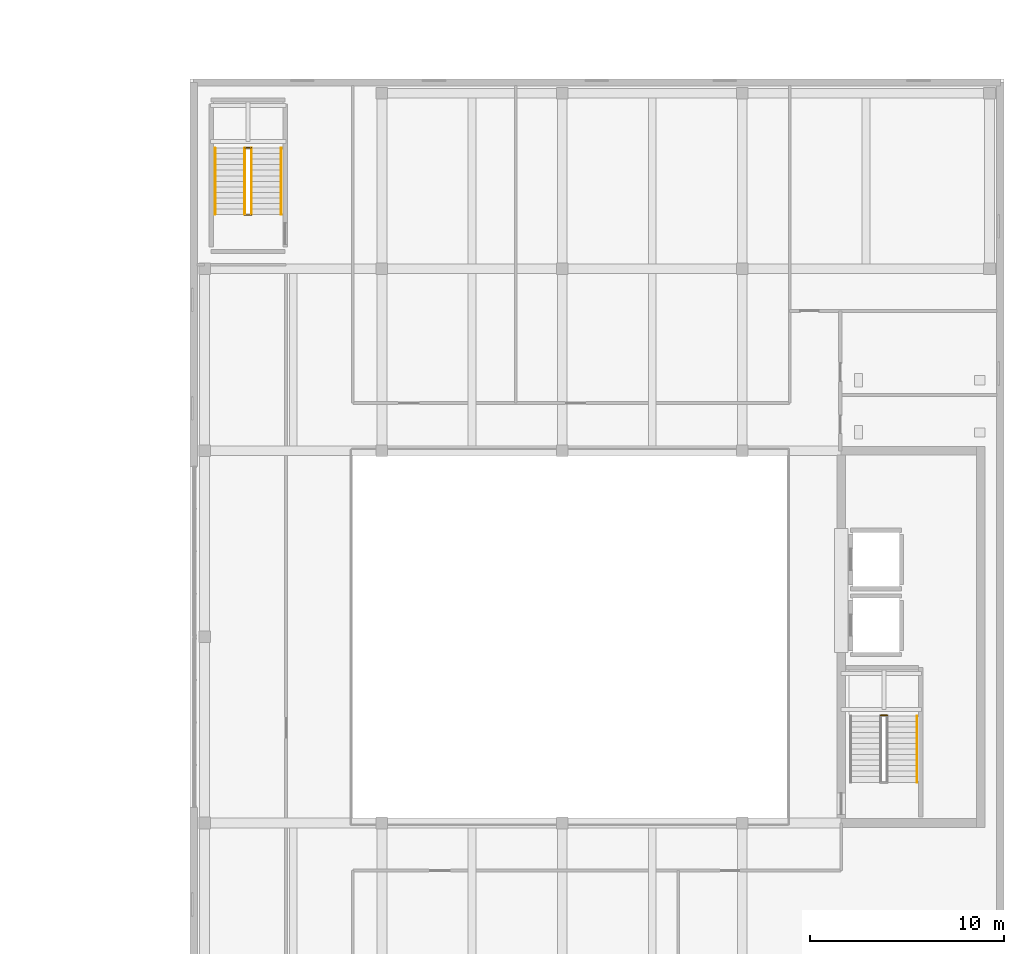
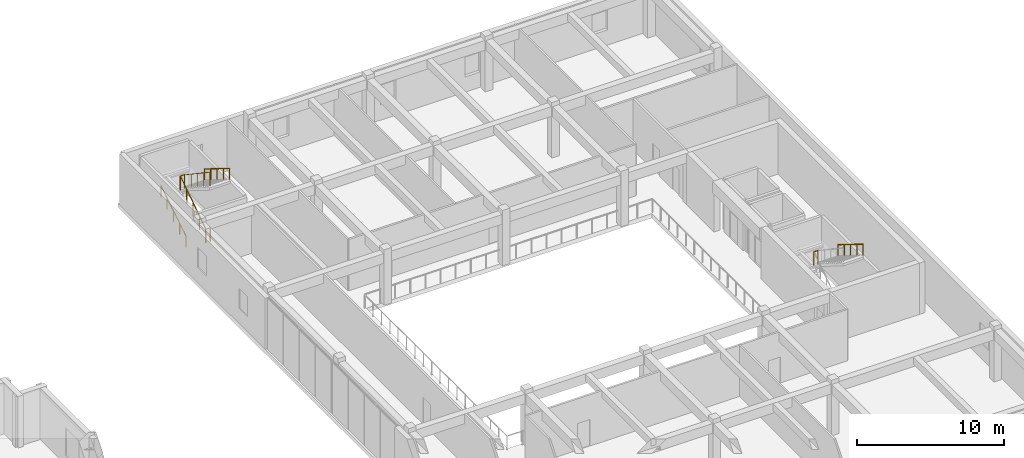
# One storey, part 23 of 24: 8 railings.
"""IFC4 building model written with IfcOpenShell, lengths in metres."""

from ifc_helpers import new_model, si_unit, direction, frame, origin, origin_2d, place, context, subcontext, project, spatial, circle, extrude, material, type_object, element, save


model = new_model("IFC4")

# Units and contexts
model_context = context("Model", 3, precision=1e-05, world=origin(), true_north=direction((0.0, 1.0)))
body_context = subcontext(model_context, "Body", "Model", "MODEL_VIEW")
ifc_project = project(units=[si_unit("LENGTHUNIT", "METRE"), si_unit("AREAUNIT", "SQUARE_METRE"), si_unit("VOLUMEUNIT", "CUBIC_METRE"), si_unit("PLANEANGLEUNIT", "RADIAN"), si_unit("MASSUNIT", "GRAM", prefix="KILO")], contexts=[model_context])

# Site, building, storey
site_placement = place(None, origin())
site = spatial("IfcSite", under=ifc_project, at=site_placement, CompositionType="ELEMENT")
building_placement = place(site_placement, origin())
building = spatial("IfcBuilding", under=site, at=building_placement, Name="Norrvale University Quadrangle", CompositionType="ELEMENT")
storey_placement = place(building_placement, frame((0.0, 0.0, 15.0)))
storey = spatial("IfcBuildingStorey", under=building, at=storey_placement, Name="L03", CompositionType="ELEMENT", Elevation=15.0)

# Railings
ifc_material_1 = material(Name="Steel 350W Painted Balustrade", Category="steel")
railing_type_1 = type_object("IfcRailingType", Name="Railing Stair Guard 1100", PredefinedType="GUARDRAIL", material=ifc_material_1)
railing_1_placement = place(storey_placement, frame((120.830078125, 24.75, 2.300048828125)))
element("IfcRailing", 1, at=railing_1_placement, inside=storey, type_object=railing_type_1, Name="Stair Mid-Landing Slot Guard ST-L1 L03", PredefinedType="GUARDRAIL", context=body_context, shape_type="SweptSolid", body=[
    extrude(circle(Radius=0.02392578125, at=origin_2d()), frame((0.0, 0.0, 1.1259765625), z_axis=(1.0, 0.0, 0.0), x_axis=(0.0, 1.0, 0.0)), (0.0, 0.0, 1.0), 0.33984375),
    extrude(circle(Radius=0.02099609375, at=origin_2d()), origin(), (0.0, 0.0, 1.0), 1.101806640625),
    extrude(circle(Radius=0.02099609375, at=origin_2d()), frame((0.33984375, 0.0, 0.0)), (0.0, 0.0, 1.0), 1.101806640625),
])
for number, where, name in (
    (2, (88.030029296875, 50.570068359375, 0.0), "Stair Floor Well Guard ST-L3 L03"),
    (3, (88.030029296875, 54.050048828125, 2.300048828125), "Stair Mid-Landing Slot Guard ST-L3 L03"),
):
    element("IfcRailing", number, at=place(storey_placement, frame(where)), inside=storey, type_object=railing_type_1, Name=name, PredefinedType="GUARDRAIL", context=body_context, shape_type="SweptSolid", body=[
        extrude(circle(Radius=0.02392578125, at=origin_2d()), frame((0.0, 0.0, 1.1259765625), z_axis=(1.0, 0.0, 0.0), x_axis=(0.0, 1.0, 0.0)), (0.0, 0.0, 1.0), 0.340087890625),
        extrude(circle(Radius=0.02099609375, at=origin_2d()), origin(), (0.0, 0.0, 1.0), 1.101806640625),
        extrude(circle(Radius=0.02099609375, at=origin_2d()), frame((0.340087890625, 0.0, 0.0)), (0.0, 0.0, 1.0), 1.101806640625),
    ])
railing_2_placement = place(storey_placement, frame((88.030029296875, 50.60009765625, 0.0)))
element("IfcRailing", 4, at=railing_2_placement, inside=storey, type_object=railing_type_1, Name="Stair Lower Flight Inner Guard ST-L3 L03", PredefinedType="GUARDRAIL", context=body_context, shape_type="SweptSolid", body=[
    extrude(circle(Radius=0.02392578125, at=origin_2d()), frame((0.0, 0.0, 1.1259765625), z_axis=(0.0, 0.8297924358, 0.55807214004), x_axis=(-1.0, 0.0, 0.0)), (0.0, 0.0, 1.0), 4.121337890625),
    extrude(circle(Radius=0.02099609375, at=origin_2d()), origin(), (0.0, 0.0, 1.0), 1.101806640625),
    extrude(circle(Radius=0.02099609375, at=origin_2d()), frame((0.0, 0.85498046875, 0.574951171875)), (0.0, 0.0, 1.0), 1.101806640625),
    extrude(circle(Radius=0.02099609375, at=origin_2d()), frame((0.0, 1.7099609375, 1.14990234375)), (0.0, 0.0, 1.0), 1.101806640625),
    extrude(circle(Radius=0.02099609375, at=origin_2d()), frame((0.0, 2.56494140625, 1.72509765625)), (0.0, 0.0, 1.0), 1.101806640625),
    extrude(circle(Radius=0.02099609375, at=origin_2d()), frame((0.0, 3.419921875, 2.300048828125)), (0.0, 0.0, 1.0), 1.101806640625),
])
railing_3_placement = place(storey_placement, frame((88.3701171875, 54.02001953125, 2.300048828125)))
element("IfcRailing", 5, at=railing_3_placement, inside=storey, type_object=railing_type_1, Name="Stair Upper Flight Inner Guard ST-L3 L03", PredefinedType="GUARDRAIL", context=body_context, shape_type="SweptSolid", body=[
    extrude(circle(Radius=0.02392578125, at=origin_2d()), frame((0.0, 0.0, 1.1259765625), z_axis=(0.0, -0.8297924358, 0.55807214004), x_axis=(1.0, 0.0, 0.0)), (0.0, 0.0, 1.0), 4.121337890625),
    extrude(circle(Radius=0.02099609375, at=origin_2d()), origin(), (0.0, 0.0, 1.0), 1.101806640625),
    extrude(circle(Radius=0.02099609375, at=origin_2d()), frame((0.0, -0.85498046875, 0.574951171875)), (0.0, 0.0, 1.0), 1.101806640625),
    extrude(circle(Radius=0.02099609375, at=origin_2d()), frame((0.0, -1.7099609375, 1.14990234375)), (0.0, 0.0, 1.0), 1.101806640625),
    extrude(circle(Radius=0.02099609375, at=origin_2d()), frame((0.0, -2.56494140625, 1.72509765625)), (0.0, 0.0, 1.0), 1.101806640625),
    extrude(circle(Radius=0.02099609375, at=origin_2d()), frame((0.0, -3.419921875, 2.300048828125)), (0.0, 0.0, 1.0), 1.101806640625),
])
ifc_material_2 = material(Name="Stainless Steel 316L Handrail", Category="steel")
railing_type_2 = type_object("IfcRailingType", Name="Railing Stair Handrail 920", PredefinedType="HANDRAIL", material=ifc_material_2)
railing_4_placement = place(storey_placement, frame((122.7099609375, 24.719970703125, 2.476806640625)))
element("IfcRailing", 6, at=railing_4_placement, inside=storey, type_object=railing_type_2, Name="Stair Upper Flight Handrail ST-L1 L03", PredefinedType="HANDRAIL", context=body_context, shape_type="SweptSolid", body=[
    extrude(circle(Radius=0.02392578125, at=origin_2d()), frame((0.0, 0.0, 0.89599609375), z_axis=(0.0, -0.849575501924, 0.527467028857), x_axis=(1.0, 0.0, 0.0)), (0.0, 0.0, 1.0), 4.025390625),
    extrude(circle(Radius=0.02099609375, at=origin_2d()), origin(), (0.0, 0.0, 1.0), 0.871826171875),
    extrude(circle(Radius=0.02099609375, at=origin_2d()), frame((0.0, -0.85498046875, 0.53076171875)), (0.0, 0.0, 1.0), 0.871826171875),
    extrude(circle(Radius=0.02099609375, at=origin_2d()), frame((0.0, -1.7099609375, 1.0615234375)), (0.0, 0.0, 1.0), 0.871826171875),
    extrude(circle(Radius=0.02099609375, at=origin_2d()), frame((0.0, -2.56494140625, 1.592529296875)), (0.0, 0.0, 1.0), 0.871826171875),
    extrude(circle(Radius=0.02099609375, at=origin_2d()), frame((0.0, -3.419921875, 2.123291015625)), (0.0, 0.0, 1.0), 0.871826171875),
])
railing_5_placement = place(storey_placement, frame((86.489990234375, 50.60009765625, 0.177001953125)))
element("IfcRailing", 7, at=railing_5_placement, inside=storey, type_object=railing_type_2, Name="Stair Lower Flight Handrail ST-L3 L03", PredefinedType="HANDRAIL", context=body_context, shape_type="SweptSolid", body=[
    extrude(circle(Radius=0.02392578125, at=origin_2d()), frame((0.0, 0.0, 0.89599609375), z_axis=(0.0, 0.849602680019, 0.527423251388), x_axis=(-1.0, 0.0, 0.0)), (0.0, 0.0, 1.0), 4.025390625),
    extrude(circle(Radius=0.02099609375, at=origin_2d()), origin(), (0.0, 0.0, 1.0), 0.871826171875),
    extrude(circle(Radius=0.02099609375, at=origin_2d()), frame((0.0, 0.85498046875, 0.53076171875)), (0.0, 0.0, 1.0), 0.871826171875),
    extrude(circle(Radius=0.02099609375, at=origin_2d()), frame((0.0, 1.7099609375, 1.0615234375)), (0.0, 0.0, 1.0), 0.871826171875),
    extrude(circle(Radius=0.02099609375, at=origin_2d()), frame((0.0, 2.56494140625, 1.59228515625)), (0.0, 0.0, 1.0), 0.871826171875),
    extrude(circle(Radius=0.02099609375, at=origin_2d()), frame((0.0, 3.419921875, 2.123046875)), (0.0, 0.0, 1.0), 0.871826171875),
])
railing_6_placement = place(storey_placement, frame((89.909912109375, 54.02001953125, 2.476806640625)))
element("IfcRailing", 8, at=railing_6_placement, inside=storey, type_object=railing_type_2, Name="Stair Upper Flight Handrail ST-L3 L03", PredefinedType="HANDRAIL", context=body_context, shape_type="SweptSolid", body=[
    extrude(circle(Radius=0.02392578125, at=origin_2d()), frame((0.0, 0.0, 0.89599609375), z_axis=(0.0, -0.849575501924, 0.527467028857), x_axis=(1.0, 0.0, 0.0)), (0.0, 0.0, 1.0), 4.025390625),
    extrude(circle(Radius=0.02099609375, at=origin_2d()), origin(), (0.0, 0.0, 1.0), 0.871826171875),
    extrude(circle(Radius=0.02099609375, at=origin_2d()), frame((0.0, -0.85498046875, 0.53076171875)), (0.0, 0.0, 1.0), 0.871826171875),
    extrude(circle(Radius=0.02099609375, at=origin_2d()), frame((0.0, -1.7099609375, 1.0615234375)), (0.0, 0.0, 1.0), 0.871826171875),
    extrude(circle(Radius=0.02099609375, at=origin_2d()), frame((0.0, -2.56494140625, 1.592529296875)), (0.0, 0.0, 1.0), 0.871826171875),
    extrude(circle(Radius=0.02099609375, at=origin_2d()), frame((0.0, -3.419921875, 2.123291015625)), (0.0, 0.0, 1.0), 0.871826171875),
])

save(model, "model.ifc")
